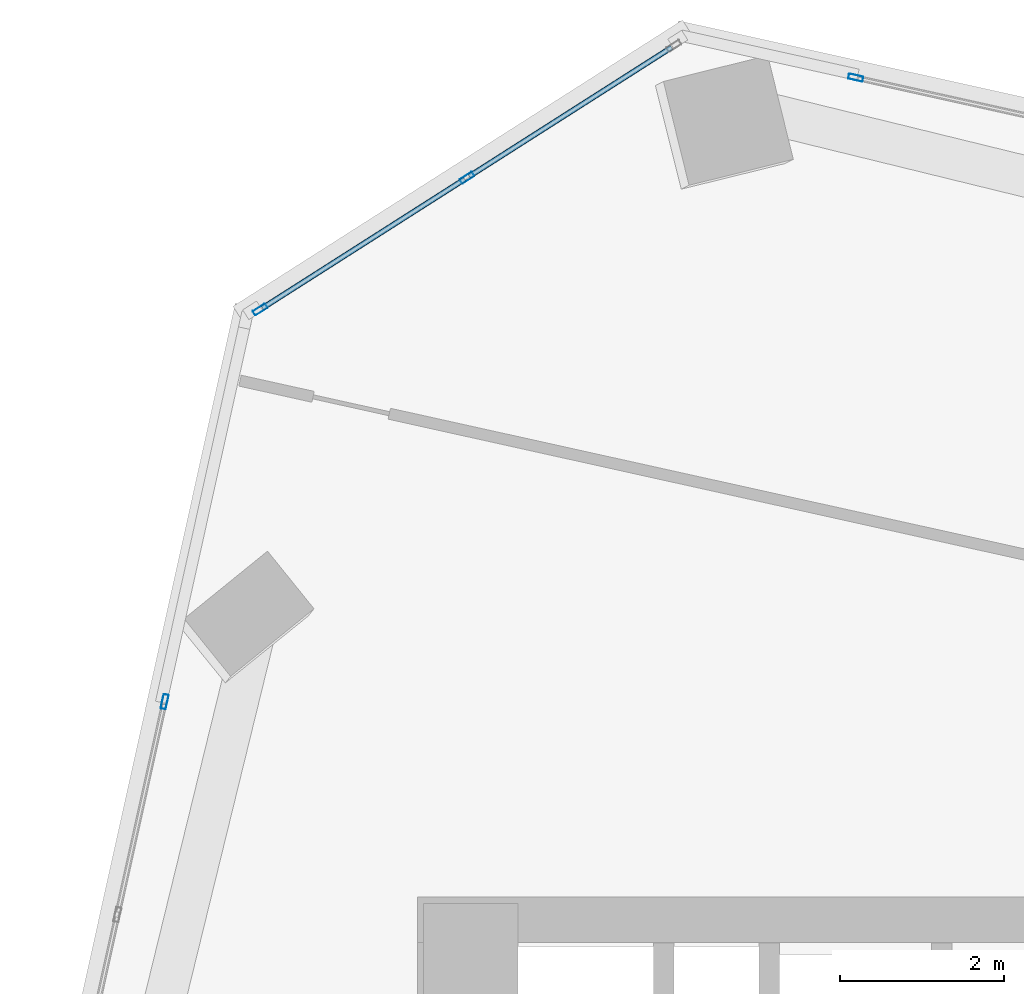
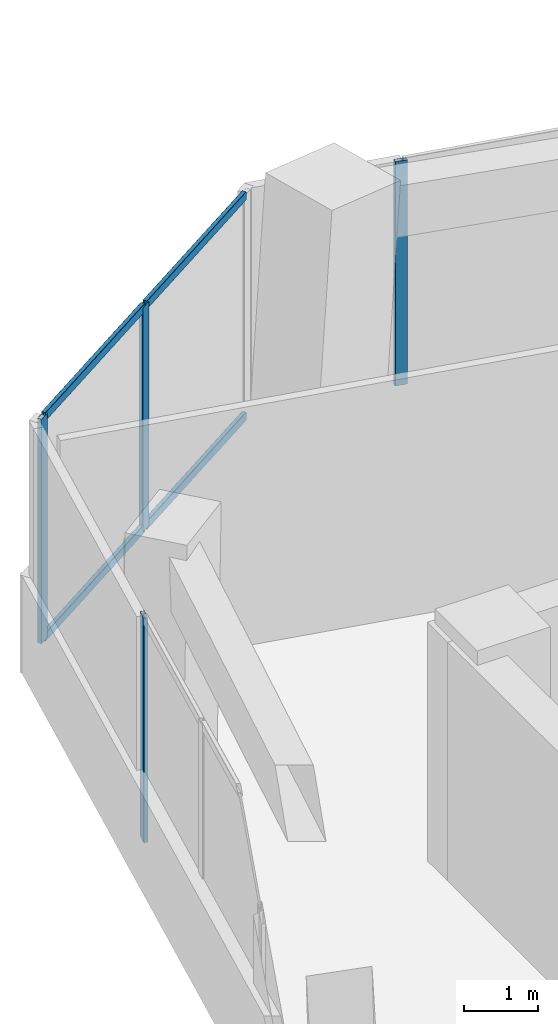
# One storey, part 15 of 25: 8 members, 3 elements without a shape of their own.
"""IFC4 building model written with IfcOpenShell, lengths in metres."""

from ifc_helpers import new_model, si_unit, direction, frame, origin, origin_2d, place, context, subcontext, project, spatial, hollow_rectangle, extrude, source, transform, mapped, material, material_profile, profile_set, type_object, element, aggregate, save


model = new_model("IFC4")

# Units and contexts
model_context = context("Model", 3, precision=1e-05, world=origin(), true_north=direction((0.0, 1.0)))
body_context = subcontext(model_context, "Body", "Model", "MODEL_VIEW")
ifc_project = project(units=[si_unit("LENGTHUNIT", "METRE"), si_unit("AREAUNIT", "SQUARE_METRE"), si_unit("VOLUMEUNIT", "CUBIC_METRE"), si_unit("PLANEANGLEUNIT", "RADIAN"), si_unit("MASSUNIT", "GRAM", prefix="KILO")], contexts=[model_context])

# Site, building, storey
site_placement = place(None, origin())
site = spatial("IfcSite", under=ifc_project, at=site_placement, CompositionType="ELEMENT")
building_placement = place(site_placement, origin())
building = spatial("IfcBuilding", under=site, at=building_placement, Name="Torre Montelarca", CompositionType="ELEMENT")
storey_placement = place(building_placement, frame((0.0, 0.0, 91.60009765625)))
storey = spatial("IfcBuildingStorey", under=building, at=storey_placement, Name="L20", CompositionType="ELEMENT", Elevation=91.60009765625)

# Curtain wall, members
ifc_material_1 = material(Name="Insulated low-E laminated glass", Category="glass")
curtain_wall_type = type_object("IfcCurtainWallType", Name="CW-SYS-Z1", PredefinedType="USERDEFINED", material=ifc_material_1)
curtain_wall_1_placement = place(storey_placement, origin())
curtain_wall_1 = element("IfcCurtainWall", 1, at=curtain_wall_1_placement, inside=storey, type_object=curtain_wall_type, Name="L20 Curtain Wall Run CW-T3-L20-E09-B1", ObjectType="UNITISED GLAZING", PredefinedType="USERDEFINED")
ifc_material_2 = material(Name="Anodised aluminium AA 6063-T6", Category="aluminium")
ifc_material_profile_1 = material_profile(ifc_material_2, hollow_rectangle(XDim=0.06494140625, YDim=0.139892578125, WallThickness=0.00390625, InnerFilletRadius=0.00390625, OuterFilletRadius=0.008056640625, at=origin_2d()), Name="ALU65X140X4", Category="aluminium")
ifc_profile_set_1 = profile_set([ifc_material_profile_1], Name="Anodised aluminium AA 6063-T6")
member_type_1 = type_object("IfcMemberType", Name="CWT-ALU140", PredefinedType="USERDEFINED", material=ifc_profile_set_1)
shared_shape_1 = source(origin(), body_context, "Body", "SweptSolid", [
    extrude(hollow_rectangle(XDim=0.06494140625, YDim=0.139892578125, WallThickness=0.00390625, InnerFilletRadius=0.00390625, OuterFilletRadius=0.008056640625, at=origin_2d()), origin(), (0.0, 0.0, 1.0), 2.9189453125),
])
member_1_placement = place(storey_placement, frame((11.994384765625, 50.439453125, 0.032470703125), z_axis=(-0.843375504823, -0.53732462987, 0.0), x_axis=(0.53732462987, -0.843375504823, 0.0)))
member_1 = element("IfcMember", 2, at=member_1_placement, type_object=member_type_1, Name="CW transom 1.1", ObjectType="TRANSOM", PredefinedType="USERDEFINED", context=body_context, shape_type="MappedRepresentation", body=[
    mapped(shared_shape_1, transform((0.0, 0.0, 0.0), scale=1.0)),
])
member_2_placement = place(storey_placement, frame((11.994384765625, 50.439453125, 3.6875), z_axis=(-0.843375504823, -0.53732462987, 0.0), x_axis=(0.53732462987, -0.843375504823, 0.0)))
member_2 = element("IfcMember", 3, at=member_2_placement, type_object=member_type_1, Name="CW transom 1.2", ObjectType="TRANSOM", PredefinedType="USERDEFINED", context=body_context, shape_type="MappedRepresentation", body=[
    mapped(shared_shape_1, transform((0.0, 0.0, 0.0), scale=1.0)),
])
member_3_placement = place(storey_placement, frame((9.47802734375, 48.836181640625, 0.032470703125), z_axis=(-0.843375504823, -0.53732462987, 0.0), x_axis=(0.53732462987, -0.843375504823, 0.0)))
member_3 = element("IfcMember", 4, at=member_3_placement, type_object=member_type_1, Name="CW transom 2.1", ObjectType="TRANSOM", PredefinedType="USERDEFINED", context=body_context, shape_type="MappedRepresentation", body=[
    mapped(shared_shape_1, transform((0.0, 0.0, 0.0), scale=1.0)),
])
member_4_placement = place(storey_placement, frame((9.47802734375, 48.836181640625, 3.6875), z_axis=(-0.843375504823, -0.53732462987, 0.0), x_axis=(0.53732462987, -0.843375504823, 0.0)))
member_4 = element("IfcMember", 5, at=member_4_placement, type_object=member_type_1, Name="CW transom 2.2", ObjectType="TRANSOM", PredefinedType="USERDEFINED", context=body_context, shape_type="MappedRepresentation", body=[
    mapped(shared_shape_1, transform((0.0, 0.0, 0.0), scale=1.0)),
])

# Curtain wall, member
curtain_wall_2_placement = place(storey_placement, origin())
curtain_wall_2 = element("IfcCurtainWall", 6, at=curtain_wall_2_placement, inside=storey, type_object=curtain_wall_type, Name="L20 Curtain Wall Run CW-T3-L20-E08-B4", ObjectType="UNITISED GLAZING", PredefinedType="USERDEFINED")
ifc_material_profile_2 = material_profile(ifc_material_2, hollow_rectangle(XDim=0.06494140625, YDim=0.179931640625, WallThickness=0.00390625, InnerFilletRadius=0.00390625, OuterFilletRadius=0.008056640625, at=origin_2d()), Name="ALU65X180X4", Category="aluminium")
ifc_profile_set_2 = profile_set([ifc_material_profile_2], Name="Anodised aluminium AA 6063-T6")
member_type_2 = type_object("IfcMemberType", Name="CWM-ALU180", PredefinedType="MULLION", material=ifc_profile_set_2)
shared_shape_2 = source(origin(), body_context, "Body", "SweptSolid", [
    extrude(hollow_rectangle(XDim=0.06494140625, YDim=0.179931640625, WallThickness=0.00390625, InnerFilletRadius=0.00390625, OuterFilletRadius=0.008056640625, at=origin_2d()), origin(), (0.0, 0.0, 1.0), 3.719970703125),
])
member_5_placement = place(storey_placement, frame((14.235107421875, 50.07080078125, 0.0), z_axis=(0.0, 0.0, 1.0), x_axis=(-0.216437912348, -0.976296384352, 0.0)))
member_5 = element("IfcMember", 7, at=member_5_placement, type_object=member_type_2, Name="CW mullion 3", PredefinedType="MULLION", context=body_context, shape_type="MappedRepresentation", body=[
    mapped(shared_shape_2, transform((0.0, 0.0, 0.0), scale=1.0)),
])
aggregate(curtain_wall_2, [member_5])

# Member
member_6_placement = place(storey_placement, frame((9.50537109375, 48.853759765625, 0.0), z_axis=(0.0, 0.0, 1.0), x_axis=(0.537316274487, -0.843380828079, 0.0)))
member_6 = element("IfcMember", 8, at=member_6_placement, type_object=member_type_2, Name="CW mullion 2", PredefinedType="MULLION", context=body_context, shape_type="MappedRepresentation", body=[
    mapped(shared_shape_2, transform((0.0, 0.0, 0.0), scale=1.0)),
])

member_7_placement = place(storey_placement, frame((6.989013671875, 47.25048828125, 0.0), z_axis=(0.0, 0.0, 1.0), x_axis=(0.537316274487, -0.843380828079, 0.0)))
member_7 = element("IfcMember", 9, at=member_7_placement, type_object=member_type_2, Name="CW mullion 3", PredefinedType="MULLION", context=body_context, shape_type="MappedRepresentation", body=[
    mapped(shared_shape_2, transform((0.0, 0.0, 0.0), scale=1.0)),
])

aggregate(curtain_wall_1, [member_6, member_7, member_1, member_2, member_3, member_4])

# Curtain wall, member
curtain_wall_3_placement = place(storey_placement, origin())
curtain_wall_3 = element("IfcCurtainWall", 10, at=curtain_wall_3_placement, inside=storey, type_object=curtain_wall_type, Name="L20 Curtain Wall Run CW-T3-L20-E10-B1", ObjectType="UNITISED GLAZING", PredefinedType="USERDEFINED")
member_8_placement = place(storey_placement, frame((5.826416015625, 42.478271484375, 0.0), z_axis=(0.0, 0.0, 1.0), x_axis=(0.976292493676, -0.216455461452, 0.0)))
member_8 = element("IfcMember", 11, at=member_8_placement, type_object=member_type_2, Name="CW mullion 1", PredefinedType="MULLION", context=body_context, shape_type="MappedRepresentation", body=[
    mapped(shared_shape_2, transform((0.0, 0.0, 0.0), scale=1.0)),
])
aggregate(curtain_wall_3, [member_8])

save(model, "model.ifc")
